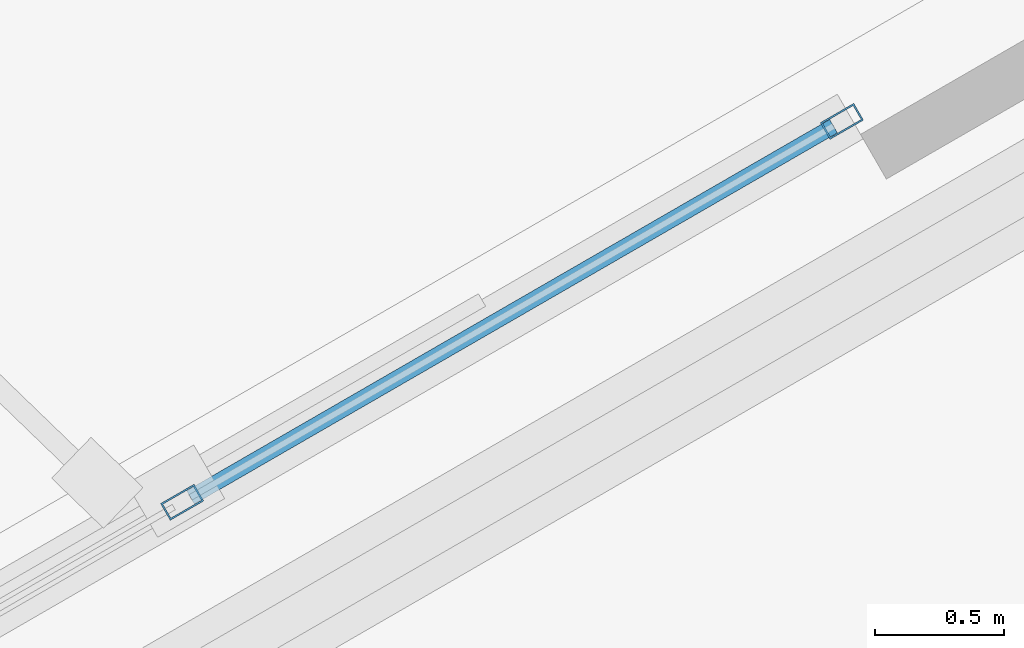
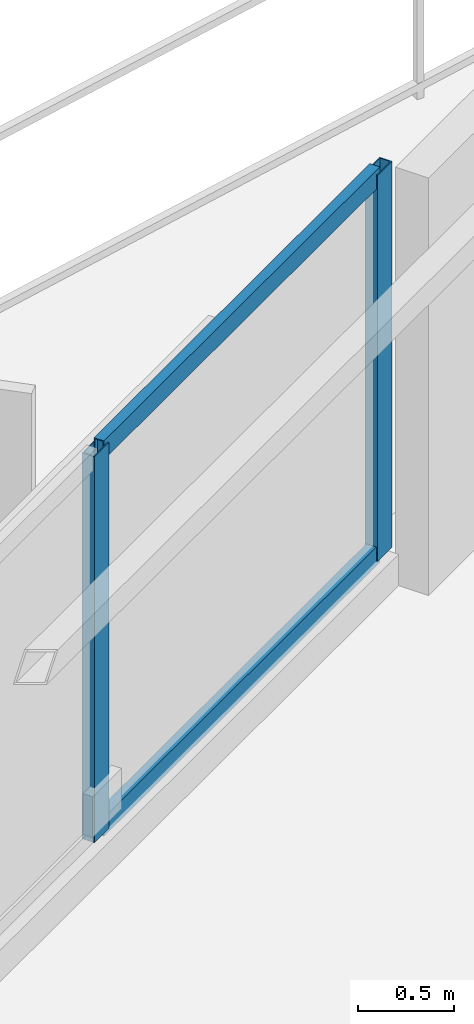
# One storey, part 9 of 19: 4 members, 1 element without a shape of its own.
"""IFC4 building model written with IfcOpenShell, lengths in metres."""

from ifc_helpers import new_model, si_unit, direction, frame, origin, origin_2d, place, context, subcontext, project, spatial, hollow_rectangle, extrude, material, layer, layer_set, material_profile, profile_set, type_object, element, aggregate, save


model = new_model("IFC4")

# Units and contexts
model_context = context("Model", 3, precision=1e-05, world=origin(), true_north=direction((0.0, 1.0)))
body_context = subcontext(model_context, "Body", "Model", "MODEL_VIEW")
ifc_project = project(units=[si_unit("LENGTHUNIT", "METRE"), si_unit("AREAUNIT", "SQUARE_METRE"), si_unit("VOLUMEUNIT", "CUBIC_METRE"), si_unit("PLANEANGLEUNIT", "RADIAN"), si_unit("MASSUNIT", "GRAM", prefix="KILO")], contexts=[model_context])

# Site, building, storey
site_placement = place(None, origin())
site = spatial("IfcSite", under=ifc_project, at=site_placement, CompositionType="ELEMENT")
building_placement = place(site_placement, origin())
building = spatial("IfcBuilding", under=site, at=building_placement, Name="Mersakhor Tower and Convention Hall", CompositionType="ELEMENT")
storey_placement = place(building_placement, frame((0.0, 0.0, 22.5)))
storey = spatial("IfcBuildingStorey", under=building, at=storey_placement, Name="L05", CompositionType="ELEMENT", Elevation=22.5)

# Curtain wall, members
ifc_material_1 = material(Name="Dark solar low-E aluminium curtain wall", Category="aluminium")
ifc_layer = layer(ifc_material_1, 0.159912109375)
ifc_layer_set = layer_set([ifc_layer], Name="Dark solar low-E aluminium curtain wall")
curtain_wall_type = type_object("IfcCurtainWallType", Name="CW-SYS-01", PredefinedType="USERDEFINED", material=ifc_layer_set)
curtain_wall_placement = place(storey_placement, origin())
curtain_wall = element("IfcCurtainWall", 1, at=curtain_wall_placement, inside=storey, type_object=curtain_wall_type, Name="L05 Dark-Glass Curtain Wall F1-B2", ObjectType="CURTAIN WALL", PredefinedType="USERDEFINED")
ifc_material_2 = material(Name="Anodised aluminium EN AW-6063 T6", Category="aluminium")
ifc_material_profile_1 = material_profile(ifc_material_2, hollow_rectangle(XDim=0.074951171875, YDim=0.14990234375, WallThickness=0.00634765625, at=origin_2d()), Name="RHS 150x75x6.3")
ifc_profile_set_1 = profile_set([ifc_material_profile_1], Name="Anodised aluminium EN AW-6063 T6")
member_type_1 = type_object("IfcMemberType", Name="CWM-150x75", PredefinedType="MULLION", material=ifc_profile_set_1)
member_1_placement = place(storey_placement, frame((24.167236328125, 41.107177734375, 0.199951171875), z_axis=(0.0, 0.0, 1.0), x_axis=(-0.50000344889, 0.866023412558, 0.0)))
member_1 = element("IfcMember", 2, at=member_1_placement, type_object=member_type_1, Name="CW-01 mullion 4", PredefinedType="MULLION", context=body_context, shape_type="SweptSolid", body=[
    extrude(hollow_rectangle(XDim=0.074951171875, YDim=0.14990234375, WallThickness=0.00634765625, at=origin_2d()), origin(), (0.0, 0.0, 1.0), 2.4599609375),
])
member_2_placement = place(storey_placement, frame((26.72705078125, 42.5849609375, 0.199951171875), z_axis=(0.0, 0.0, 1.0), x_axis=(-0.50000344889, 0.866023412558, 0.0)))
member_2 = element("IfcMember", 3, at=member_2_placement, type_object=member_type_1, Name="CW-01 mullion 5", PredefinedType="MULLION", context=body_context, shape_type="SweptSolid", body=[
    extrude(hollow_rectangle(XDim=0.074951171875, YDim=0.14990234375, WallThickness=0.00634765625, at=origin_2d()), origin(), (0.0, 0.0, 1.0), 2.4599609375),
])
ifc_material_3 = material(Name="Anodised aluminium EN AW-6063 T6", Category="aluminium")
ifc_material_profile_2 = material_profile(ifc_material_3, hollow_rectangle(XDim=0.06005859375, YDim=0.1201171875, WallThickness=0.0048828125, at=origin_2d()), Name="RHS 120x60x5")
ifc_profile_set_2 = profile_set([ifc_material_profile_2], Name="Anodised aluminium EN AW-6063 T6")
member_type_2 = type_object("IfcMemberType", Name="CWT-120x60", PredefinedType="USERDEFINED", material=ifc_profile_set_2)
member_3_placement = place(storey_placement, frame((24.19970703125, 41.1259765625, 0.22998046875), z_axis=(0.866023290103, 0.500003660985, 0.0), x_axis=(-0.500003660985, 0.866023290103, 0.0)))
member_3 = element("IfcMember", 4, at=member_3_placement, type_object=member_type_2, Name="CW-01 transom 4.1", ObjectType="TRANSOM", PredefinedType="USERDEFINED", context=body_context, shape_type="SweptSolid", body=[
    extrude(hollow_rectangle(XDim=0.06005859375, YDim=0.1201171875, WallThickness=0.0048828125, at=origin_2d()), origin(), (0.0, 0.0, 1.0), 2.880859375),
])
member_4_placement = place(storey_placement, frame((24.19970703125, 41.1259765625, 2.6298828125), z_axis=(0.866023290103, 0.500003660985, 0.0), x_axis=(-0.500003660985, 0.866023290103, 0.0)))
member_4 = element("IfcMember", 5, at=member_4_placement, type_object=member_type_2, Name="CW-01 transom 4.2", ObjectType="TRANSOM", PredefinedType="USERDEFINED", context=body_context, shape_type="SweptSolid", body=[
    extrude(hollow_rectangle(XDim=0.06005859375, YDim=0.1201171875, WallThickness=0.0048828125, at=origin_2d()), origin(), (0.0, 0.0, 1.0), 2.880859375),
])
aggregate(curtain_wall, [member_1, member_2, member_3, member_4])

save(model, "model.ifc")
